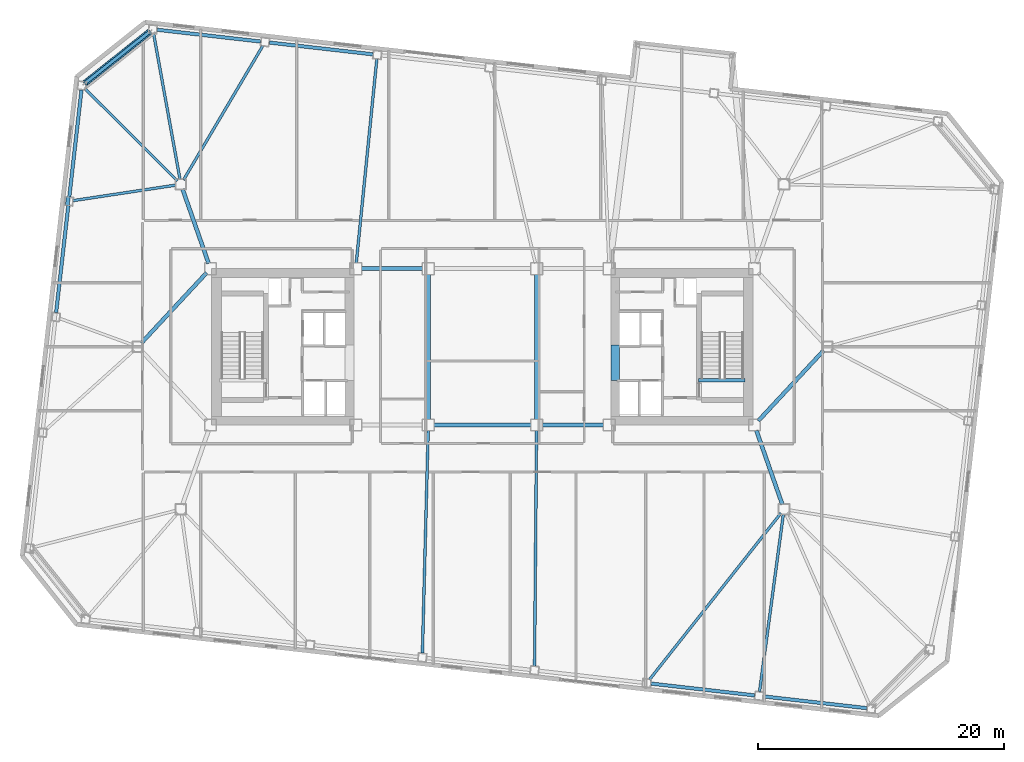
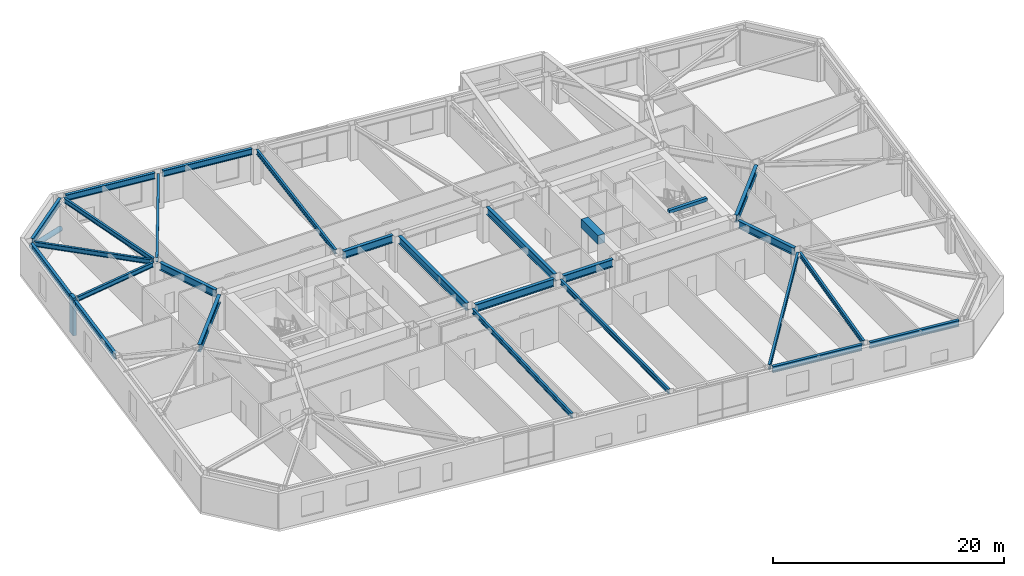
# One storey, part 7 of 22: 27 beams, 2 members.
"""IFC4 building model written with IfcOpenShell, lengths in metres."""

import ifcopenshell
import ifcopenshell.guid

model = None  # the IFC model being written
_history = None  # IfcOwnerHistory: only IFC2X3 demands one
_inside = {}  # id of a spatial element -> (the spatial element, [elements in it])
_under = {}  # id of a project, library or spatial element -> (it, [spatial elements below it])
_declared = {}  # id of a project -> (the project, [libraries it declares])
_typed = {}  # id of a type object -> (the type object, [elements of that type])
_made_of = {}  # id of a material, layer set ... -> (it, [elements and type objects made of it])


def new_model(schema):
    """Start an empty IFC model of exactly this schema.

    Asked for "IFC4X3", IfcOpenShell would pick the latest addendum, in which some entities
    have other attributes; the version numbers below select the first issue.
    IFC2X3 requires an IfcOwnerHistory on every rooted entity: one is made here for all.
    """
    global model, _history
    if schema == "IFC4X3":
        model = ifcopenshell.file(schema_version=(4, 3, 0, 0))
    else:
        model = ifcopenshell.file(schema=schema)
    _inside.clear()
    _under.clear()
    _declared.clear()
    _typed.clear()
    _made_of.clear()
    _history = None
    if model.schema == "IFC2X3":
        org = make("IfcOrganization", Name="unknown")
        user = make(
            "IfcPersonAndOrganization",
            ThePerson=make("IfcPerson", FamilyName="unknown"),
            TheOrganization=org,
        )
        app = make(
            "IfcApplication",
            ApplicationDeveloper=org,
            Version="unknown",
            ApplicationFullName="unknown",
            ApplicationIdentifier="unknown",
        )
        _history = make(
            "IfcOwnerHistory",
            OwningUser=user,
            OwningApplication=app,
            ChangeAction="ADDED",
            CreationDate=0,
        )
    return model


def make(cls, **values):
    """One entity of the class cls with the attributes given. An attribute that is None is left unset."""
    return model.create_entity(
        cls, **{name: value for name, value in values.items() if value is not None}
    )


def rooted(cls, **values):
    """An entity with a GlobalId (a new one), such as an element, a storey or a relation."""
    return make(cls, GlobalId=ifcopenshell.guid.new(), OwnerHistory=_history, **values)


def si_unit(unit_type, name, prefix=None):
    """IfcSIUnit, for example si_unit("LENGTHUNIT", "METRE", prefix="MILLI")."""
    return make("IfcSIUnit", UnitType=unit_type, Prefix=prefix, Name=name)


def assignment(units):
    """IfcUnitAssignment: the units of a project."""
    return None if units is None else make("IfcUnitAssignment", Units=units)


def point(xyz):
    """IfcCartesianPoint."""
    return None if xyz is None else make("IfcCartesianPoint", Coordinates=xyz)


def direction(xyz):
    """IfcDirection."""
    return None if xyz is None else make("IfcDirection", DirectionRatios=xyz)


def frame(location, z_axis=None, x_axis=None):
    """IfcAxis2Placement3D, a coordinate frame: its origin and axes. An axis left out is left unset."""
    return make(
        "IfcAxis2Placement3D",
        Location=point(location),
        Axis=direction(z_axis),
        RefDirection=direction(x_axis),
    )


def frame_2d(location, x_axis=None):
    """IfcAxis2Placement2D, a coordinate frame in the plane: its origin and x axis."""
    return make(
        "IfcAxis2Placement2D", Location=point(location), RefDirection=direction(x_axis)
    )


def origin():
    """The frame at (0, 0, 0) with its axes left unset."""
    return frame((0.0, 0.0, 0.0))


def origin_2d():
    """The frame at (0, 0) in the plane with its x axis left unset."""
    return frame_2d((0.0, 0.0))


def place(relative_to, where):
    """IfcLocalPlacement: puts the frame where relative to a parent placement (None: the world)."""
    return make(
        "IfcLocalPlacement", PlacementRelTo=relative_to, RelativePlacement=where
    )


def context(
    kind, dimensions, precision=None, world=None, true_north=None, identifier=None
):
    """IfcGeometricRepresentationContext, for example the 3D "Model" context."""
    return make(
        "IfcGeometricRepresentationContext",
        ContextIdentifier=identifier,
        ContextType=kind,
        CoordinateSpaceDimension=dimensions,
        Precision=precision,
        WorldCoordinateSystem=world,
        TrueNorth=true_north,
    )


def subcontext(parent, identifier, kind, view, scale=None):
    """IfcGeometricRepresentationSubContext, for example "Body" below "Model"."""
    return make(
        "IfcGeometricRepresentationSubContext",
        ContextIdentifier=identifier,
        ContextType=kind,
        ParentContext=parent,
        TargetScale=scale,
        TargetView=view,
    )


def project(units=None, contexts=None):
    """IfcProject with its units and contexts."""
    return rooted(
        "IfcProject",
        Name="project",
        RepresentationContexts=contexts,
        UnitsInContext=assignment(units),
    )


def spatial(cls, under=None, at=None, **own):
    """A site, building, storey or space (cls), placed at a placement, below another one or the project."""
    s = rooted(cls, ObjectPlacement=at, **own)
    if under is not None:
        _under.setdefault(under.id(), (under, []))[1].append(s)
    return s


def profile(cls, at=None, kind="AREA", **sizes):
    """A parametric profile (cls). Its sizes go by their IFC names, for example OverallWidth=200.0."""
    return make(cls, ProfileType=kind, Position=at, **sizes)


def rectangle(**sizes):
    """IfcRectangleProfileDef."""
    return profile("IfcRectangleProfileDef", **sizes)


def hollow_circle(**sizes):
    """IfcCircleHollowProfileDef."""
    return profile("IfcCircleHollowProfileDef", **sizes)


def i_section(**sizes):
    """IfcIShapeProfileDef."""
    return profile("IfcIShapeProfileDef", **sizes)


def extrude(swept, where, along, depth):
    """IfcExtrudedAreaSolid: the profile swept, set in the frame where, extruded along a direction by depth."""
    return make(
        "IfcExtrudedAreaSolid",
        SweptArea=swept,
        Position=where,
        ExtrudedDirection=direction(along),
        Depth=depth,
    )


def shape(context_of_items, identifier, shape_type, items):
    """IfcShapeRepresentation: the items that make up one representation, for example the "Body"."""
    return make(
        "IfcShapeRepresentation",
        ContextOfItems=context_of_items,
        RepresentationIdentifier=identifier,
        RepresentationType=shape_type,
        Items=items,
    )


def material(Name=None, Category=None):
    """IfcMaterial."""
    return make("IfcMaterial", Name=Name, Category=Category)


def material_profile(
    of_material, cross_section, Name=None, Category=None, Priority=None
):
    """IfcMaterialProfile: a cross section and its material."""
    return make(
        "IfcMaterialProfile",
        Name=Name,
        Material=of_material,
        Profile=cross_section,
        Priority=Priority,
        Category=Category,
    )


def profile_set(profiles, Name=None, composite=None):
    """IfcMaterialProfileSet."""
    return make(
        "IfcMaterialProfileSet",
        Name=Name,
        MaterialProfiles=profiles,
        CompositeProfile=composite,
    )


def made_of(thing, what):
    """Note that an element or type object is made of a material, layer set ...; save() writes the relation."""
    if what is not None:
        _made_of.setdefault(what.id(), (what, []))[1].append(thing)
    return thing


def type_object(cls, material=None, **own):
    """A type object (cls), such as IfcWallType, which elements share."""
    return made_of(rooted(cls, **own), material)


def element(
    cls,
    number,
    at=None,
    inside=None,
    cuts=None,
    type_object=None,
    material=None,
    context=None,
    identifier="Body",
    shape_type=None,
    held_by="IfcProductDefinitionShape",
    body=None,
    shapes=None,
    **own,
):
    """One element of the class cls, such as IfcWall. Its Tag is "e" and its number.

    at: its placement. inside: the storey or other place that contains it. cuts: it is an
    opening in that element (IfcRelVoidsElement). A single representation is given by context,
    identifier, shape_type and body (its items); several are given by shapes. held_by: the class
    of the entity that holds the representations. save() writes the other relations.
    """
    e = rooted(cls, Tag="e%d" % number, ObjectPlacement=at, **own)
    if body is not None:
        shapes = [shape(context, identifier, shape_type, body)]
    if shapes is not None:
        e.Representation = make(held_by, Representations=shapes)
    if inside is not None:
        _inside.setdefault(inside.id(), (inside, []))[1].append(e)
    if cuts is not None:
        rooted(
            "IfcRelVoidsElement", RelatingBuildingElement=cuts, RelatedOpeningElement=e
        )
    if type_object is not None:
        _typed.setdefault(type_object.id(), (type_object, []))[1].append(e)
    return made_of(e, material)


def aggregate(whole, parts):
    """IfcRelAggregates: a whole, such as a stair, and the parts it consists of."""
    return rooted("IfcRelAggregates", RelatingObject=whole, RelatedObjects=parts)


def save(model, path):
    """Write the relations noted so far, then the file.

    IfcRelAggregates (storeys below a building ...), IfcRelContainedInSpatialStructure (elements
    in a storey), IfcRelDefinesByType, IfcRelAssociatesMaterial and IfcRelDeclares: one each for
    every whole, place, type object, material and project.
    """
    for whole, parts in _under.values():
        aggregate(whole, parts)
    for where, things in _inside.values():
        rooted(
            "IfcRelContainedInSpatialStructure",
            RelatedElements=things,
            RelatingStructure=where,
        )
    for kind, things in _typed.values():
        rooted("IfcRelDefinesByType", RelatedObjects=things, RelatingType=kind)
    for what, things in _made_of.values():
        rooted("IfcRelAssociatesMaterial", RelatedObjects=things, RelatingMaterial=what)
    for by, libraries in _declared.values():
        rooted("IfcRelDeclares", RelatingContext=by, RelatedDefinitions=libraries)
    model.write(path)


model = new_model("IFC4")

# Units and contexts
model_context = context("Model", 3, precision=1e-05, world=origin(), true_north=direction((0.0, 1.0)))
body_context = subcontext(model_context, "Body", "Model", "MODEL_VIEW")
ifc_project = project(units=[si_unit("LENGTHUNIT", "METRE"), si_unit("AREAUNIT", "SQUARE_METRE"), si_unit("VOLUMEUNIT", "CUBIC_METRE"), si_unit("PLANEANGLEUNIT", "RADIAN"), si_unit("MASSUNIT", "GRAM", prefix="KILO")], contexts=[model_context])

# Site, building, storey
site_placement = place(None, origin())
site = spatial("IfcSite", under=ifc_project, at=site_placement, CompositionType="ELEMENT")
building_placement = place(site_placement, origin())
building = spatial("IfcBuilding", under=site, at=building_placement, Name="Tavrogorsk Clinical Tower", CompositionType="ELEMENT")
storey_placement = place(building_placement, frame((0.0, 0.0, 117.39990234375)))
storey = spatial("IfcBuildingStorey", under=building, at=storey_placement, Name="L26", CompositionType="ELEMENT", Elevation=117.39990234375)

# Beam
ifc_material_1 = material(Name="Concrete B80", Category="concrete")
ifc_material_profile_1 = material_profile(ifc_material_1, rectangle(XDim=0.699951171875, YDim=0.949951171875, at=origin_2d()), Name="RC-CB-700x950")
ifc_profile_set_1 = profile_set([ifc_material_profile_1], Name="Concrete B80")
beam_type_1 = type_object("IfcBeamType", Name="CouplingBeam_RC700x950", PredefinedType="LINTEL", material=ifc_profile_set_1)
beam_1_placement = place(storey_placement, frame((10.800048828125, -2.75, 3.26513671875), z_axis=(0.0, 1.0, 0.0), x_axis=(-1.0, 0.0, 0.0)))
element("IfcBeam", 1, at=beam_1_placement, inside=storey, type_object=beam_type_1, Name="L26 Core East Coupling Beam", PredefinedType="LINTEL", context=body_context, shape_type="SweptSolid", body=[
    extrude(rectangle(XDim=0.699951171875, YDim=0.949951171875, at=origin_2d()), origin(), (0.0, 0.0, 1.0), 2.89990234375),
])

# Member
ifc_material_2 = material(Name="Structural steel S440", Category="steel")
ifc_material_profile_2 = material_profile(ifc_material_2, hollow_circle(Radius=0.25390625, WallThickness=0.02001953125, at=origin_2d()), Name="CHS-508x20")
ifc_profile_set_2 = profile_set([ifc_material_profile_2], Name="Structural steel S440")
member_type_1 = type_object("IfcMemberType", Name="ExoBrace_CHS508", PredefinedType="BRACE", material=ifc_profile_set_2)
member_1_placement = place(storey_placement, frame((-27.045654296875, 25.592041015625, 0.425048828125), z_axis=(-0.73336936718, -0.583326985798, 0.349140371371), x_axis=(0.622500682662, -0.782619256143, 0.0)))
element("IfcMember", 2, at=member_1_placement, inside=storey, type_object=member_type_1, Name="L26 Corner Exoskeleton Brace N8-W1", PredefinedType="BRACE", context=body_context, shape_type="SweptSolid", body=[
    extrude(hollow_circle(Radius=0.25390625, WallThickness=0.02001953125, at=origin_2d()), origin(), (0.0, 0.0, 1.0), 7.1318359375),
])

# Beams
ifc_material_3 = material(Name="Structural steel S355", Category="steel")
ifc_material_profile_3 = material_profile(ifc_material_3, i_section(OverallWidth=0.219970703125, OverallDepth=0.5, WebThickness=0.012939453125, FlangeThickness=0.02001953125, at=origin_2d()), Name="B-500x220x13x20")
ifc_profile_set_3 = profile_set([ifc_material_profile_3], Name="Structural steel S355")
beam_type_2 = type_object("IfcBeamType", Name="FloorBeam_B500", PredefinedType="BEAM", material=ifc_profile_set_3)
beam_2_placement = place(storey_placement, frame((-4.411865234375, -6.809814453125, 3.489990234375), z_axis=(-0.025907273598, -0.999664350257, 0.0), x_axis=(0.999664350257, -0.025907273598, 0.0)))
element("IfcBeam", 3, at=beam_2_placement, inside=storey, type_object=beam_type_2, Name="L26 Radial Floor Beam S4", PredefinedType="BEAM", context=body_context, shape_type="SweptSolid", body=[
    extrude(i_section(OverallWidth=0.219970703125, OverallDepth=0.5, WebThickness=0.012939453125, FlangeThickness=0.02001953125, at=origin_2d()), origin(), (0.0, 0.0, 1.0), 18.083984375),
])
beam_3_placement = place(storey_placement, frame((4.39599609375, -6.81005859375, 3.489990234375), z_axis=(-0.00859471964, -0.999963064715, 0.0), x_axis=(0.999963064715, -0.00859471964, 0.0)))
element("IfcBeam", 4, at=beam_3_placement, inside=storey, type_object=beam_type_2, Name="L26 Radial Floor Beam S5", PredefinedType="BEAM", context=body_context, shape_type="SweptSolid", body=[
    extrude(i_section(OverallWidth=0.219970703125, OverallDepth=0.5, WebThickness=0.012939453125, FlangeThickness=0.02001953125, at=origin_2d()), origin(), (0.0, 0.0, 1.0), 19.1171875),
])
beam_4_placement = place(storey_placement, frame((24.245849609375, -13.521728515625, 3.489990234375), z_axis=(-0.619757312108, -0.784793523221, 0.0), x_axis=(0.784793523221, -0.619757312108, 0.0)))
element("IfcBeam", 5, at=beam_4_placement, inside=storey, type_object=beam_type_2, Name="L26 Radial Floor Beam S6", PredefinedType="BEAM", context=body_context, shape_type="SweptSolid", body=[
    extrude(i_section(OverallWidth=0.219970703125, OverallDepth=0.5, WebThickness=0.012939453125, FlangeThickness=0.02001953125, at=origin_2d()), origin(), (0.0, 0.0, 1.0), 17.22802734375),
])
beam_5_placement = place(storey_placement, frame((24.445556640625, -13.6064453125, 3.489990234375), z_axis=(-0.133025440596, -0.991112623345, 0.0), x_axis=(0.991112623345, -0.133025440596, 0.0)))
element("IfcBeam", 6, at=beam_5_placement, inside=storey, type_object=beam_type_2, Name="L26 Radial Floor Beam S7", PredefinedType="BEAM", context=body_context, shape_type="SweptSolid", body=[
    extrude(i_section(OverallWidth=0.219970703125, OverallDepth=0.5, WebThickness=0.012939453125, FlangeThickness=0.02001953125, at=origin_2d()), origin(), (0.0, 0.0, 1.0), 14.530029296875),
])
beam_6_placement = place(storey_placement, frame((-10.25390625, 6.8076171875, 3.489990234375), z_axis=(0.100407035617, 0.994946444387, 0.0), x_axis=(-0.994946444387, 0.100407035617, 0.0)))
element("IfcBeam", 7, at=beam_6_placement, inside=storey, type_object=beam_type_2, Name="L26 Radial Floor Beam N6", PredefinedType="BEAM", context=body_context, shape_type="SweptSolid", body=[
    extrude(i_section(OverallWidth=0.219970703125, OverallDepth=0.5, WebThickness=0.012939453125, FlangeThickness=0.02001953125, at=origin_2d()), origin(), (0.0, 0.0, 1.0), 16.643798828125),
])
beam_7_placement = place(storey_placement, frame((-24.291259765625, 13.552978515625, 3.489990234375), z_axis=(0.508876748392, 0.86083938975, 0.0), x_axis=(-0.86083938975, 0.508876748392, 0.0)))
element("IfcBeam", 8, at=beam_7_placement, inside=storey, type_object=beam_type_2, Name="L26 Radial Floor Beam N7", PredefinedType="BEAM", context=body_context, shape_type="SweptSolid", body=[
    extrude(i_section(OverallWidth=0.219970703125, OverallDepth=0.5, WebThickness=0.012939453125, FlangeThickness=0.02001953125, at=origin_2d()), origin(), (0.0, 0.0, 1.0), 12.663330078125),
])
beam_8_placement = place(storey_placement, frame((-24.572998046875, 13.603515625, 3.489990234375), z_axis=(-0.178287530482, 0.983978432932, 0.0), x_axis=(-0.983978432932, -0.178287530482, 0.0)))
element("IfcBeam", 9, at=beam_8_placement, inside=storey, type_object=beam_type_2, Name="L26 Radial Floor Beam N8", PredefinedType="BEAM", context=body_context, shape_type="SweptSolid", body=[
    extrude(i_section(OverallWidth=0.219970703125, OverallDepth=0.5, WebThickness=0.012939453125, FlangeThickness=0.02001953125, at=origin_2d()), origin(), (0.0, 0.0, 1.0), 12.0380859375),
])
beam_9_placement = place(storey_placement, frame((-24.790283203125, 13.48974609375, 3.489990234375), z_axis=(-0.707775090959, 0.706437839175, 0.0), x_axis=(-0.706437839175, -0.707775090959, 0.0)))
element("IfcBeam", 10, at=beam_9_placement, inside=storey, type_object=beam_type_2, Name="L26 Radial Floor Beam W1", PredefinedType="BEAM", context=body_context, shape_type="SweptSolid", body=[
    extrude(i_section(OverallWidth=0.219970703125, OverallDepth=0.5, WebThickness=0.012939453125, FlangeThickness=0.02001953125, at=origin_2d()), origin(), (0.0, 0.0, 1.0), 10.589111328125),
])
beam_10_placement = place(storey_placement, frame((-24.905517578125, 13.138671875, 3.489990234375), z_axis=(-0.98878314082, -0.149358295482, 0.0), x_axis=(0.149358295482, -0.98878314082, 0.0)))
element("IfcBeam", 11, at=beam_10_placement, inside=storey, type_object=beam_type_2, Name="L26 Radial Floor Beam W2", PredefinedType="BEAM", context=body_context, shape_type="SweptSolid", body=[
    extrude(i_section(OverallWidth=0.219970703125, OverallDepth=0.5, WebThickness=0.012939453125, FlangeThickness=0.02001953125, at=origin_2d()), origin(), (0.0, 0.0, 1.0), 8.4443359375),
])

# Member
ifc_material_4 = material(Name="Precast concrete B45 with limestone cladding", Category="masonry")
ifc_material_profile_4 = material_profile(ifc_material_4, rectangle(XDim=0.320068359375, YDim=0.719970703125, at=origin_2d()), Name="LIMESTONE-FIN-320x720")
ifc_profile_set_4 = profile_set([ifc_material_profile_4], Name="Precast concrete B45 with limestone cladding")
member_type_2 = type_object("IfcMemberType", Name="LimestonePleatFin_320x720", PredefinedType="USERDEFINED", material=ifc_profile_set_4)
member_2_placement = place(storey_placement, frame((-33.688720703125, 11.8330078125, 0.0), z_axis=(0.0, 0.0, 1.0), x_axis=(0.993571855677, -0.113203213768, 0.0)))
element("IfcMember", 12, at=member_2_placement, inside=storey, type_object=member_type_2, Name="L26 W Pleated Stone Fin 1", ObjectType="FIN", PredefinedType="USERDEFINED", context=body_context, shape_type="SweptSolid", body=[
    extrude(rectangle(XDim=0.320068359375, YDim=0.719970703125, at=origin_2d()), origin(), (0.0, 0.0, 1.0), 4.0),
])

# Beams
ifc_material_5 = material(Name="Structural steel S390", Category="steel")
ifc_material_profile_5 = material_profile(ifc_material_5, i_section(OverallWidth=0.320068359375, OverallDepth=0.800048828125, WebThickness=0.02001953125, FlangeThickness=0.033935546875, at=origin_2d()), Name="B-800x320x20x34")
ifc_profile_set_5 = profile_set([ifc_material_profile_5], Name="Structural steel S390")
beam_type_3 = type_object("IfcBeamType", Name="PrimaryGirder_B800", PredefinedType="USERDEFINED", material=ifc_profile_set_5)
beam_11_placement = place(storey_placement, frame((-9.840087890625, 6.35009765625, 3.340087890625), z_axis=(1.0, 0.0, 0.0), x_axis=(0.0, 1.0, 0.0)))
element("IfcBeam", 13, at=beam_11_placement, inside=storey, type_object=beam_type_3, Name="L26 Primary Spine Girder MG-02", ObjectType="GIRDER", PredefinedType="USERDEFINED", context=body_context, shape_type="SweptSolid", body=[
    extrude(i_section(OverallWidth=0.320068359375, OverallDepth=0.800048828125, WebThickness=0.02001953125, FlangeThickness=0.033935546875, at=origin_2d()), origin(), (0.0, 0.0, 1.0), 4.97998046875),
])
beam_12_placement = place(storey_placement, frame((-3.93994140625, -6.35009765625, 3.340087890625), z_axis=(1.0, 0.0, 0.0), x_axis=(0.0, 1.0, 0.0)))
element("IfcBeam", 14, at=beam_12_placement, inside=storey, type_object=beam_type_3, Name="L26 Primary Spine Girder MG-03", ObjectType="GIRDER", PredefinedType="USERDEFINED", context=body_context, shape_type="SweptSolid", body=[
    extrude(i_section(OverallWidth=0.320068359375, OverallDepth=0.800048828125, WebThickness=0.02001953125, FlangeThickness=0.033935546875, at=origin_2d()), origin(), (0.0, 0.0, 1.0), 7.8798828125),
])
beam_13_placement = place(storey_placement, frame((4.860107421875, -6.35009765625, 3.340087890625), z_axis=(1.0, 0.0, 0.0), x_axis=(0.0, 1.0, 0.0)))
element("IfcBeam", 15, at=beam_13_placement, inside=storey, type_object=beam_type_3, Name="L26 Primary Spine Girder MG-05", ObjectType="GIRDER", PredefinedType="USERDEFINED", context=body_context, shape_type="SweptSolid", body=[
    extrude(i_section(OverallWidth=0.320068359375, OverallDepth=0.800048828125, WebThickness=0.02001953125, FlangeThickness=0.033935546875, at=origin_2d()), origin(), (0.0, 0.0, 1.0), 4.97998046875),
])
for number, where, z_axis, x_axis, name in (
    (16, (-4.39990234375, -5.889892578125, 3.340087890625), (0.0, 1.0, 0.0), (-1.0, 0.0, 0.0), "L26 Primary Spine Girder MG-07"),
    (17, (4.39990234375, -5.889892578125, 3.340087890625), (0.0, 1.0, 0.0), (-1.0, 0.0, 0.0), "L26 Primary Spine Girder MG-08"),
):
    element("IfcBeam", number, at=place(storey_placement, frame(where, z_axis=z_axis, x_axis=x_axis)), inside=storey, type_object=beam_type_3, Name=name, ObjectType="GIRDER", PredefinedType="USERDEFINED", context=body_context, shape_type="SweptSolid", body=[
        extrude(i_section(OverallWidth=0.320068359375, OverallDepth=0.800048828125, WebThickness=0.02001953125, FlangeThickness=0.033935546875, at=origin_2d()), origin(), (0.0, 0.0, 1.0), 11.77978515625),
    ])
for number, where, z_axis, x_axis, name in (
    (18, (24.364501953125, -12.81298828125, 3.340087890625), (-0.330660234815, 0.943749865755, 0.0), (-0.943749865755, -0.330660234815, 0.0), "L26 Spine Link Girder OPG-2"),
    (19, (-24.364501953125, 12.81298828125, 3.340087890625), (0.330660234815, -0.943749865755, 0.0), (0.943749865755, 0.330660234815, 0.0), "L26 Spine Link Girder OPG-3"),
):
    element("IfcBeam", number, at=place(storey_placement, frame(where, z_axis=z_axis, x_axis=x_axis)), inside=storey, type_object=beam_type_3, Name=name, ObjectType="GIRDER", PredefinedType="USERDEFINED", context=body_context, shape_type="SweptSolid", body=[
        extrude(i_section(OverallWidth=0.320068359375, OverallDepth=0.800048828125, WebThickness=0.02001953125, FlangeThickness=0.033935546875, at=origin_2d()), origin(), (0.0, 0.0, 1.0), 6.38818359375),
    ])
for number, where, z_axis, x_axis, name in (
    (20, (-27.720947265625, 0.30029296875, 3.340087890625), (0.680675630035, 0.732584934787, 0.0), (-0.732584934787, 0.680675630035, 0.0), "L26 Spine Link Girder OPG-6"),
    (21, (27.720947265625, -0.30029296875, 3.340087890625), (-0.680675630035, -0.732584934787, 0.0), (0.732584934787, -0.680675630035, 0.0), "L26 Spine Link Girder OPG-7"),
):
    element("IfcBeam", number, at=place(storey_placement, frame(where, z_axis=z_axis, x_axis=x_axis)), inside=storey, type_object=beam_type_3, Name=name, ObjectType="GIRDER", PredefinedType="USERDEFINED", context=body_context, shape_type="SweptSolid", body=[
        extrude(i_section(OverallWidth=0.320068359375, OverallDepth=0.800048828125, WebThickness=0.02001953125, FlangeThickness=0.033935546875, at=origin_2d()), origin(), (0.0, 0.0, 1.0), 7.7978515625),
    ])
ifc_material_6 = material(Name="Structural steel S390", Category="steel")
ifc_material_profile_6 = material_profile(ifc_material_6, i_section(OverallWidth=0.280029296875, OverallDepth=0.64990234375, WebThickness=0.01611328125, FlangeThickness=0.02490234375, at=origin_2d()), Name="B-650x280x16x25")
ifc_profile_set_6 = profile_set([ifc_material_profile_6], Name="Structural steel S390")
beam_type_4 = type_object("IfcBeamType", Name="SpandrelBeam_B650", PredefinedType="SPANDREL", material=ifc_profile_set_6)
beam_14_placement = place(storey_placement, frame((13.702392578125, -27.36376953125, 3.4150390625), z_axis=(0.993569819641, -0.113221082395, 0.0), x_axis=(0.113221082395, 0.993569819641, 0.0)))
element("IfcBeam", 22, at=beam_14_placement, inside=storey, type_object=beam_type_4, Name="L26 Perimeter Spandrel S6-S7", PredefinedType="SPANDREL", context=body_context, shape_type="SweptSolid", body=[
    extrude(i_section(OverallWidth=0.280029296875, OverallDepth=0.64990234375, WebThickness=0.01611328125, FlangeThickness=0.02490234375, at=origin_2d()), origin(), (0.0, 0.0, 1.0), 8.46142578125),
])
beam_15_placement = place(storey_placement, frame((22.82080078125, -28.40283203125, 3.4150390625), z_axis=(0.99357232562, -0.113199089054, 0.0), x_axis=(0.113199089054, 0.99357232562, 0.0)))
element("IfcBeam", 23, at=beam_15_placement, inside=storey, type_object=beam_type_4, Name="L26 Perimeter Spandrel S7-S8", PredefinedType="SPANDREL", context=body_context, shape_type="SweptSolid", body=[
    extrude(i_section(OverallWidth=0.280029296875, OverallDepth=0.64990234375, WebThickness=0.01611328125, FlangeThickness=0.02490234375, at=origin_2d()), origin(), (0.0, 0.0, 1.0), 8.4609375),
])
for number, where, z_axis, x_axis, name in (
    (24, (-8.902587890625, 23.763916015625, 3.4150390625), (-0.993572695356, 0.113195843756, 0.0), (-0.113195843756, -0.993572695356, 0.0), "L26 Perimeter Spandrel N6-N7"),
    (25, (-18.020751953125, 24.802734375, 3.4150390625), (-0.993572695356, 0.113195843756, 0.0), (-0.113195843756, -0.993572695356, 0.0), "L26 Perimeter Spandrel N7-N8"),
):
    element("IfcBeam", number, at=place(storey_placement, frame(where, z_axis=z_axis, x_axis=x_axis)), inside=storey, type_object=beam_type_4, Name=name, PredefinedType="SPANDREL", context=body_context, shape_type="SweptSolid", body=[
        extrude(i_section(OverallWidth=0.280029296875, OverallDepth=0.64990234375, WebThickness=0.01611328125, FlangeThickness=0.02490234375, at=origin_2d()), origin(), (0.0, 0.0, 1.0), 8.461181640625),
    ])
beam_16_placement = place(storey_placement, frame((-27.063232421875, 25.578125, 3.4150390625), z_axis=(-0.782613271493, -0.622508206599, 0.0), x_axis=(0.622508206599, -0.782613271493, 0.0)))
element("IfcBeam", 26, at=beam_16_placement, inside=storey, type_object=beam_type_4, Name="L26 Perimeter Spandrel N8-W1", PredefinedType="SPANDREL", context=body_context, shape_type="SweptSolid", body=[
    extrude(i_section(OverallWidth=0.280029296875, OverallDepth=0.64990234375, WebThickness=0.01611328125, FlangeThickness=0.02490234375, at=origin_2d()), origin(), (0.0, 0.0, 1.0), 6.6376953125),
])
for number, where, z_axis, x_axis, name in (
    (27, (-32.578857421875, 20.867431640625, 3.4150390625), (-0.113192226434, -0.993573107464, 0.0), (0.993573107464, -0.113192226434, 0.0), "L26 Perimeter Spandrel W1-W2"),
    (28, (-33.649658203125, 11.46826171875, 3.4150390625), (-0.113219789686, -0.993569966949, 0.0), (0.993569966949, -0.113219789686, 0.0), "L26 Perimeter Spandrel W2-W3"),
):
    element("IfcBeam", number, at=place(storey_placement, frame(where, z_axis=z_axis, x_axis=x_axis)), inside=storey, type_object=beam_type_4, Name=name, PredefinedType="SPANDREL", context=body_context, shape_type="SweptSolid", body=[
        extrude(i_section(OverallWidth=0.280029296875, OverallDepth=0.64990234375, WebThickness=0.01611328125, FlangeThickness=0.02490234375, at=origin_2d()), origin(), (0.0, 0.0, 1.0), 8.743896484375),
    ])
ifc_material_7 = material(Name="Concrete B60", Category="concrete")
ifc_material_profile_7 = material_profile(ifc_material_7, rectangle(XDim=0.300048828125, YDim=0.35009765625, at=origin_2d()), Name="RC-SHB-300x350")
ifc_profile_set_7 = profile_set([ifc_material_profile_7], Name="Concrete B60")
beam_type_5 = type_object("IfcBeamType", Name="StairHeaderBeam_RC300x350", PredefinedType="BEAM", material=ifc_profile_set_7)
beam_17_placement = place(storey_placement, frame((17.550048828125, -2.719970703125, 3.8251953125), z_axis=(1.0, 0.0, 0.0), x_axis=(0.0, 1.0, 0.0)))
element("IfcBeam", 29, at=beam_17_placement, inside=storey, type_object=beam_type_5, Name="L27 ST-E Landing Header Beam", PredefinedType="BEAM", context=body_context, shape_type="SweptSolid", body=[
    extrude(rectangle(XDim=0.300048828125, YDim=0.35009765625, at=origin_2d()), origin(), (0.0, 0.0, 1.0), 3.800048828125),
])

save(model, "model.ifc")
